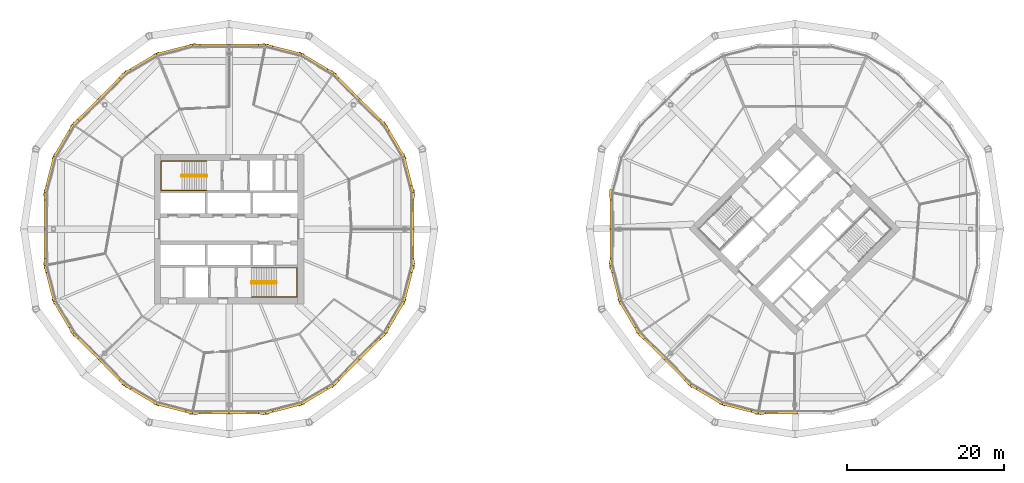
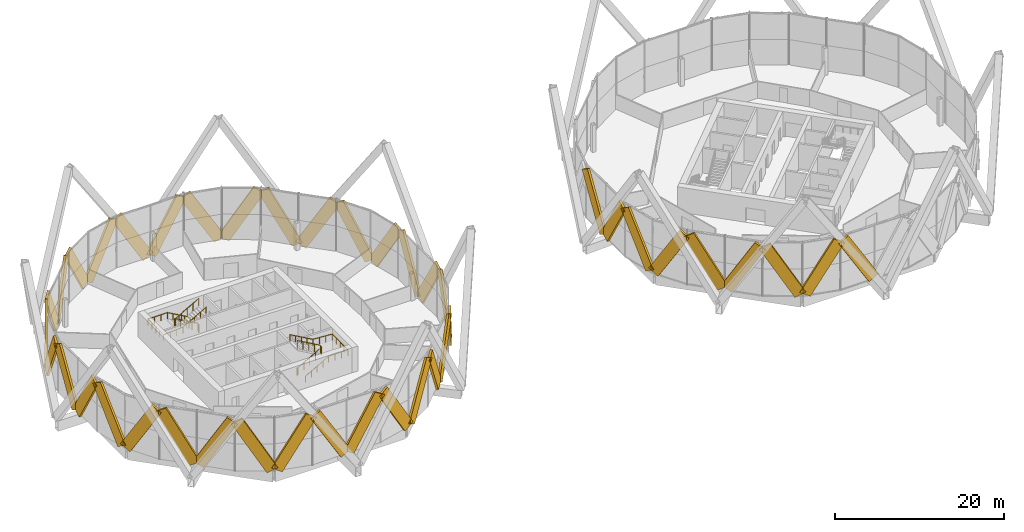
# One storey, part 27 of 28: 41 coverings, 4 railings.
"""IFC4 building model written with IfcOpenShell, lengths in metres."""

from ifc_helpers import new_model, si_unit, direction, frame, origin, origin_2d, place, context, subcontext, project, spatial, rectangle, circle, extrude, material, material_profile, profile_set, type_object, element, save


model = new_model("IFC4")

# Units and contexts
model_context = context("Model", 3, precision=1e-05, world=origin(), true_north=direction((0.0, 1.0)))
body_context = subcontext(model_context, "Body", "Model", "MODEL_VIEW")
ifc_project = project(units=[si_unit("LENGTHUNIT", "METRE"), si_unit("AREAUNIT", "SQUARE_METRE"), si_unit("VOLUMEUNIT", "CUBIC_METRE"), si_unit("PLANEANGLEUNIT", "RADIAN"), si_unit("MASSUNIT", "GRAM", prefix="KILO")], contexts=[model_context])

# Site, building, storey
site_placement = place(None, origin())
site = spatial("IfcSite", under=ifc_project, at=site_placement, CompositionType="ELEMENT")
building_placement = place(site_placement, origin())
building = spatial("IfcBuilding", under=site, at=building_placement, Name="Ogive Gate Towers", CompositionType="ELEMENT")
storey_placement = place(building_placement, frame((0.0, 0.0, 115.199951171875)))
storey = spatial("IfcBuildingStorey", under=building, at=storey_placement, Name="L27", CompositionType="ELEMENT", Elevation=115.199951171875)

# Coverings
ifc_material_1 = material(Name="Pale metal aluminium", Category="aluminium")
ifc_material_profile = material_profile(ifc_material_1, rectangle(XDim=0.300048828125, YDim=1.5, at=origin_2d()), Name="1500 x 300 pale metal aluminium")
ifc_profile_set = profile_set([ifc_material_profile], Name="Pale metal aluminium")
covering_type = type_object("IfcCoveringType", Name="Facade fin 1500 x 300", PredefinedType="CLADDING", material=ifc_profile_set)
covering_1_placement = place(storey_placement, frame((-12.627685546875, 0.223388671875, 0.031494140625), z_axis=(0.005227164316, 0.508647892171, 0.86095876704), x_axis=(-0.999947200062, 0.010276044395, 0.0)))
element("IfcCovering", 1, at=covering_1_placement, inside=storey, type_object=covering_type, Name="Facade fin", PredefinedType="CLADDING", context=body_context, shape_type="SweptSolid", body=[
    extrude(rectangle(XDim=0.300048828125, YDim=1.5, at=origin_2d()), origin(), (0.0, 0.0, 1.0), 8.173583984375),
])
for number, where, z_axis, x_axis, name in (
    (2, (-13.694580078125, 8.960205078125, 0.035400390625), (0.127928177285, -0.497498467219, 0.857979986114), (0.968492932597, 0.249041039811, 0.0), "Facade fin"),
    (3, (-13.891845703125, 9.4365234375, 0.035400390625), (-0.261365403853, 0.442244209165, 0.857967473235), (-0.860893036422, -0.508785986285, 0.0), "Facade fin"),
):
    element("IfcCovering", number, at=place(storey_placement, frame(where, z_axis=z_axis, x_axis=x_axis)), inside=storey, type_object=covering_type, Name=name, PredefinedType="CLADDING", context=body_context, shape_type="SweptSolid", body=[
        extrude(rectangle(XDim=0.300048828125, YDim=1.5, at=origin_2d()), origin(), (0.0, 0.0, 1.0), 8.19287109375),
    ])
for number, where, z_axis, x_axis, name in (
    (4, (-19.3154296875, 16.368896484375, 0.031494140625), (0.363387143952, -0.35597961381, 0.860946164497), (0.699788395832, 0.714350194973, 0.0), "Facade fin"),
    (5, (-19.631103515625, 16.6845703125, 0.031494140625), (-0.35597961381, 0.363387143952, 0.860946164497), (-0.714350194973, -0.699788395832, 0.0), "Facade fin"),
):
    element("IfcCovering", number, at=place(storey_placement, frame(where, z_axis=z_axis, x_axis=x_axis)), inside=storey, type_object=covering_type, Name=name, PredefinedType="CLADDING", context=body_context, shape_type="SweptSolid", body=[
        extrude(rectangle(XDim=0.300048828125, YDim=1.5, at=origin_2d()), origin(), (0.0, 0.0, 1.0), 8.173583984375),
    ])
for number, where, z_axis, x_axis, name in (
    (6, (-26.5634765625, 22.108154296875, 0.035400390625), (0.442244209165, -0.261365403853, 0.857967473235), (0.508785986285, 0.860893036422, 0.0), "Facade fin"),
    (7, (-27.039794921875, 22.305419921875, 0.035400390625), (-0.497498467219, 0.127928177285, 0.857979986114), (-0.249041039811, -0.968492932597, 0.0), "Facade fin"),
):
    element("IfcCovering", number, at=place(storey_placement, frame(where, z_axis=z_axis, x_axis=x_axis)), inside=storey, type_object=covering_type, Name=name, PredefinedType="CLADDING", context=body_context, shape_type="SweptSolid", body=[
        extrude(rectangle(XDim=0.300048828125, YDim=1.5, at=origin_2d()), origin(), (0.0, 0.0, 1.0), 8.19287109375),
    ])
for number, where, z_axis, x_axis, name in (
    (8, (-35.776611328125, 23.372314453125, 0.031494140625), (0.508647892171, 0.005227164316, 0.86095876704), (-0.010276044395, 0.999947200062, 0.0), "Facade fin"),
    (9, (-36.223388671875, 23.372314453125, 0.031494140625), (-0.508647892171, 0.005227164316, 0.86095876704), (-0.010276044395, -0.999947200062, 0.0), "Facade fin"),
):
    element("IfcCovering", number, at=place(storey_placement, frame(where, z_axis=z_axis, x_axis=x_axis)), inside=storey, type_object=covering_type, Name=name, PredefinedType="CLADDING", context=body_context, shape_type="SweptSolid", body=[
        extrude(rectangle(XDim=0.300048828125, YDim=1.5, at=origin_2d()), origin(), (0.0, 0.0, 1.0), 8.173583984375),
    ])
for number, where, z_axis, x_axis, name in (
    (10, (-44.960205078125, 22.305419921875, 0.035400390625), (0.497498467219, 0.127928177285, 0.857979986114), (-0.249041039811, 0.968492932597, 0.0), "Facade fin"),
    (11, (-45.4365234375, 22.108154296875, 0.035400390625), (-0.442244209165, -0.261365403853, 0.857967473235), (0.508785986285, -0.860893036422, 0.0), "Facade fin"),
):
    element("IfcCovering", number, at=place(storey_placement, frame(where, z_axis=z_axis, x_axis=x_axis)), inside=storey, type_object=covering_type, Name=name, PredefinedType="CLADDING", context=body_context, shape_type="SweptSolid", body=[
        extrude(rectangle(XDim=0.300048828125, YDim=1.5, at=origin_2d()), origin(), (0.0, 0.0, 1.0), 8.19287109375),
    ])
for number, where, z_axis, x_axis, name in (
    (12, (-52.368896484375, 16.6845703125, 0.031494140625), (0.35597961381, 0.363387143952, 0.860946164497), (-0.714350194973, 0.699788395832, 0.0), "Facade fin"),
    (13, (-52.6845703125, 16.368896484375, 0.031494140625), (-0.363387143952, -0.35597961381, 0.860946164497), (0.699788395832, -0.714350194973, 0.0), "Facade fin"),
):
    element("IfcCovering", number, at=place(storey_placement, frame(where, z_axis=z_axis, x_axis=x_axis)), inside=storey, type_object=covering_type, Name=name, PredefinedType="CLADDING", context=body_context, shape_type="SweptSolid", body=[
        extrude(rectangle(XDim=0.300048828125, YDim=1.5, at=origin_2d()), origin(), (0.0, 0.0, 1.0), 8.173583984375),
    ])
for number, where, z_axis, x_axis, name in (
    (14, (-58.108154296875, 9.4365234375, 0.035400390625), (0.261365403853, 0.442244209165, 0.857967473235), (-0.860893036422, 0.508785986285, 0.0), "Facade fin"),
    (15, (-58.305419921875, 8.960205078125, 0.035400390625), (-0.127928177285, -0.497498467219, 0.857979986114), (0.968492932597, -0.249041039811, 0.0), "Facade fin"),
):
    element("IfcCovering", number, at=place(storey_placement, frame(where, z_axis=z_axis, x_axis=x_axis)), inside=storey, type_object=covering_type, Name=name, PredefinedType="CLADDING", context=body_context, shape_type="SweptSolid", body=[
        extrude(rectangle(XDim=0.300048828125, YDim=1.5, at=origin_2d()), origin(), (0.0, 0.0, 1.0), 8.19287109375),
    ])
for number, where, z_axis, x_axis, name in (
    (16, (-59.372314453125, 0.223388671875, 0.031494140625), (-0.005227164316, 0.508647892171, 0.86095876704), (-0.999947200062, -0.010276044395, 0.0), "Facade fin"),
    (17, (-59.372314453125, -0.223388671875, 0.031494140625), (-0.005227164316, -0.508647892171, 0.86095876704), (0.999947200062, -0.010276044395, 0.0), "Facade fin"),
):
    element("IfcCovering", number, at=place(storey_placement, frame(where, z_axis=z_axis, x_axis=x_axis)), inside=storey, type_object=covering_type, Name=name, PredefinedType="CLADDING", context=body_context, shape_type="SweptSolid", body=[
        extrude(rectangle(XDim=0.300048828125, YDim=1.5, at=origin_2d()), origin(), (0.0, 0.0, 1.0), 8.173583984375),
    ])
for number, where, z_axis, x_axis, name in (
    (18, (-58.305419921875, -8.960205078125, 0.035400390625), (-0.127928177285, 0.497498467219, 0.857979986114), (-0.968492932597, -0.249041039811, 0.0), "Facade fin"),
    (19, (-58.108154296875, -9.4365234375, 0.035400390625), (0.261365403853, -0.442244209165, 0.857967473235), (0.860893036422, 0.508785986285, 0.0), "Facade fin"),
):
    element("IfcCovering", number, at=place(storey_placement, frame(where, z_axis=z_axis, x_axis=x_axis)), inside=storey, type_object=covering_type, Name=name, PredefinedType="CLADDING", context=body_context, shape_type="SweptSolid", body=[
        extrude(rectangle(XDim=0.300048828125, YDim=1.5, at=origin_2d()), origin(), (0.0, 0.0, 1.0), 8.19287109375),
    ])
for number, where, z_axis, x_axis, name in (
    (20, (-52.6845703125, -16.368896484375, 0.031494140625), (-0.363387143952, 0.35597961381, 0.860946164497), (-0.699788395832, -0.714350194973, 0.0), "Facade fin"),
    (21, (-52.368896484375, -16.6845703125, 0.031494140625), (0.35597961381, -0.363387143952, 0.860946164497), (0.714350194973, 0.699788395832, 0.0), "Facade fin"),
):
    element("IfcCovering", number, at=place(storey_placement, frame(where, z_axis=z_axis, x_axis=x_axis)), inside=storey, type_object=covering_type, Name=name, PredefinedType="CLADDING", context=body_context, shape_type="SweptSolid", body=[
        extrude(rectangle(XDim=0.300048828125, YDim=1.5, at=origin_2d()), origin(), (0.0, 0.0, 1.0), 8.173583984375),
    ])
for number, where, z_axis, x_axis, name in (
    (22, (-45.4365234375, -22.108154296875, 0.035400390625), (-0.442244209165, 0.261365403853, 0.857967473235), (-0.508785986285, -0.860893036422, 0.0), "Facade fin"),
    (23, (-44.960205078125, -22.305419921875, 0.035400390625), (0.497498467219, -0.127928177285, 0.857979986114), (0.249041039811, 0.968492932597, 0.0), "Facade fin"),
):
    element("IfcCovering", number, at=place(storey_placement, frame(where, z_axis=z_axis, x_axis=x_axis)), inside=storey, type_object=covering_type, Name=name, PredefinedType="CLADDING", context=body_context, shape_type="SweptSolid", body=[
        extrude(rectangle(XDim=0.300048828125, YDim=1.5, at=origin_2d()), origin(), (0.0, 0.0, 1.0), 8.19287109375),
    ])
for number, where, z_axis, x_axis, name in (
    (24, (-36.223388671875, -23.372314453125, 0.031494140625), (-0.508647892171, -0.005227164316, 0.86095876704), (0.010276044395, -0.999947200062, 0.0), "Facade fin"),
    (25, (-35.776611328125, -23.372314453125, 0.031494140625), (0.508647892171, -0.005227164316, 0.86095876704), (0.010276044395, 0.999947200062, 0.0), "Facade fin"),
):
    element("IfcCovering", number, at=place(storey_placement, frame(where, z_axis=z_axis, x_axis=x_axis)), inside=storey, type_object=covering_type, Name=name, PredefinedType="CLADDING", context=body_context, shape_type="SweptSolid", body=[
        extrude(rectangle(XDim=0.300048828125, YDim=1.5, at=origin_2d()), origin(), (0.0, 0.0, 1.0), 8.173583984375),
    ])
for number, where, z_axis, x_axis, name in (
    (26, (-27.039794921875, -22.305419921875, 0.035400390625), (-0.497498467219, -0.127928177285, 0.857979986114), (0.249041039811, -0.968492932597, 0.0), "Facade fin"),
    (27, (-26.5634765625, -22.108154296875, 0.035400390625), (0.442244209165, 0.261365403853, 0.857967473235), (-0.508785986285, 0.860893036422, 0.0), "Facade fin"),
):
    element("IfcCovering", number, at=place(storey_placement, frame(where, z_axis=z_axis, x_axis=x_axis)), inside=storey, type_object=covering_type, Name=name, PredefinedType="CLADDING", context=body_context, shape_type="SweptSolid", body=[
        extrude(rectangle(XDim=0.300048828125, YDim=1.5, at=origin_2d()), origin(), (0.0, 0.0, 1.0), 8.19287109375),
    ])
for number, where, z_axis, x_axis, name in (
    (28, (-19.631103515625, -16.6845703125, 0.031494140625), (-0.35597961381, -0.363387143952, 0.860946164497), (0.714350194973, -0.699788395832, 0.0), "Facade fin"),
    (29, (-19.3154296875, -16.368896484375, 0.031494140625), (0.363387143952, 0.35597961381, 0.860946164497), (-0.699788395832, 0.714350194973, 0.0), "Facade fin"),
):
    element("IfcCovering", number, at=place(storey_placement, frame(where, z_axis=z_axis, x_axis=x_axis)), inside=storey, type_object=covering_type, Name=name, PredefinedType="CLADDING", context=body_context, shape_type="SweptSolid", body=[
        extrude(rectangle(XDim=0.300048828125, YDim=1.5, at=origin_2d()), origin(), (0.0, 0.0, 1.0), 8.173583984375),
    ])
for number, where, z_axis, x_axis, name in (
    (30, (-13.891845703125, -9.4365234375, 0.035400390625), (-0.261365403853, -0.442244209165, 0.857967473235), (0.860893036422, -0.508785986285, 0.0), "Facade fin"),
    (31, (-13.694580078125, -8.960205078125, 0.035400390625), (0.127928177285, 0.497498467219, 0.857979986114), (-0.968492932597, 0.249041039811, 0.0), "Facade fin"),
):
    element("IfcCovering", number, at=place(storey_placement, frame(where, z_axis=z_axis, x_axis=x_axis)), inside=storey, type_object=covering_type, Name=name, PredefinedType="CLADDING", context=body_context, shape_type="SweptSolid", body=[
        extrude(rectangle(XDim=0.300048828125, YDim=1.5, at=origin_2d()), origin(), (0.0, 0.0, 1.0), 8.19287109375),
    ])
covering_2_placement = place(storey_placement, frame((-12.627685546875, -0.223388671875, 0.031494140625), z_axis=(0.005227164316, -0.508647892171, 0.86095876704), x_axis=(0.999947200062, 0.010276044395, 0.0)))
element("IfcCovering", 32, at=covering_2_placement, inside=storey, type_object=covering_type, Name="Facade fin", PredefinedType="CLADDING", context=body_context, shape_type="SweptSolid", body=[
    extrude(rectangle(XDim=0.300048828125, YDim=1.5, at=origin_2d()), origin(), (0.0, 0.0, 1.0), 8.173583984375),
])
for number, where, z_axis, x_axis, name in (
    (33, (12.627685546875, 0.228515625, 0.13525390625), (-0.005290317119, 0.513523525176, 0.85805920637), (-0.999946938666, -0.010301449006, 0.0), "Facade fin"),
    (34, (12.627685546875, -0.228515625, 0.13525390625), (-0.005290317119, -0.513523525176, 0.85805920637), (0.999946938666, -0.010301449006, 0.0), "Facade fin"),
):
    element("IfcCovering", number, at=place(storey_placement, frame(where, z_axis=z_axis, x_axis=x_axis)), inside=storey, type_object=covering_type, Name=name, PredefinedType="CLADDING", context=body_context, shape_type="SweptSolid", body=[
        extrude(rectangle(XDim=0.300048828125, YDim=1.5, at=origin_2d()), origin(), (0.0, 0.0, 1.0), 8.075927734375),
    ])
for number, where, z_axis, x_axis, name in (
    (35, (13.693115234375, -8.955078125, 0.138916015625), (-0.129101932383, 0.5022339598, 0.855040198283), (-0.96851336819, -0.248961554535, 0.0), "Facade fin"),
    (36, (13.89453125, -9.441162109375, 0.138916015625), (0.263840727454, -0.446439379269, 0.855032134586), (0.860896426094, 0.508780250736, 0.0), "Facade fin"),
):
    element("IfcCovering", number, at=place(storey_placement, frame(where, z_axis=z_axis, x_axis=x_axis)), inside=storey, type_object=covering_type, Name=name, PredefinedType="CLADDING", context=body_context, shape_type="SweptSolid", body=[
        extrude(rectangle(XDim=0.300048828125, YDim=1.5, at=origin_2d()), origin(), (0.0, 0.0, 1.0), 8.095703125),
    ])
for number, where, z_axis, x_axis, name in (
    (37, (19.311767578125, -16.365234375, 0.13525390625), (-0.366872875915, 0.359375803303, 0.858052052569), (-0.699770026242, -0.714368189643, 0.0), "Facade fin"),
    (38, (19.634765625, -16.688232421875, 0.13525390625), (0.359375803303, -0.366872875915, 0.858052052569), (0.714368189643, 0.699770026242, 0.0), "Facade fin"),
):
    element("IfcCovering", number, at=place(storey_placement, frame(where, z_axis=z_axis, x_axis=x_axis)), inside=storey, type_object=covering_type, Name=name, PredefinedType="CLADDING", context=body_context, shape_type="SweptSolid", body=[
        extrude(rectangle(XDim=0.300048828125, YDim=1.5, at=origin_2d()), origin(), (0.0, 0.0, 1.0), 8.076171875),
    ])
for number, where, z_axis, x_axis, name in (
    (39, (26.558837890625, -22.10546875, 0.138916015625), (-0.446439379269, 0.263840727454, 0.855032134586), (-0.508780250736, -0.860896426094, 0.0), "Facade fin"),
    (40, (27.044921875, -22.306884765625, 0.138916015625), (0.5022339598, -0.129101932383, 0.855040198283), (0.248961554535, 0.96851336819, 0.0), "Facade fin"),
):
    element("IfcCovering", number, at=place(storey_placement, frame(where, z_axis=z_axis, x_axis=x_axis)), inside=storey, type_object=covering_type, Name=name, PredefinedType="CLADDING", context=body_context, shape_type="SweptSolid", body=[
        extrude(rectangle(XDim=0.300048828125, YDim=1.5, at=origin_2d()), origin(), (0.0, 0.0, 1.0), 8.095703125),
    ])
covering_3_placement = place(storey_placement, frame((35.771484375, -23.372314453125, 0.13525390625), z_axis=(-0.513523525176, -0.005290317119, 0.85805920637), x_axis=(0.010301449006, -0.999946938666, 0.0)))
element("IfcCovering", 41, at=covering_3_placement, inside=storey, type_object=covering_type, Name="Facade fin", PredefinedType="CLADDING", context=body_context, shape_type="SweptSolid", body=[
    extrude(rectangle(XDim=0.300048828125, YDim=1.5, at=origin_2d()), origin(), (0.0, 0.0, 1.0), 8.075927734375),
])

# Railings
ifc_material_2 = material(Name="Stainless steel", Category="steel")
railing_type_1 = type_object("IfcRailingType", Name="Stair guard 1100", PredefinedType="GUARDRAIL", material=ifc_material_2)
railing_1_placement = place(storey_placement, frame((-38.81494140625, 6.860107421875, 0.0)))
element("IfcRailing", 42, at=railing_1_placement, inside=storey, type_object=railing_type_1, Name="L27 ST1 stair guard 1", PredefinedType="GUARDRAIL", context=body_context, shape_type="SweptSolid", body=[
    extrude(circle(Radius=0.02392578125, at=origin_2d()), frame((0.0, 0.0, 1.076171875), z_axis=(0.0, -1.0, 0.0), x_axis=(1.0, 0.0, 0.0)), (0.0, 0.0, 1.0), 0.14501953125),
    extrude(circle(Radius=0.02392578125, at=origin_2d()), frame((0.0, -0.14501953125, 1.076171875), z_axis=(-0.186679794065, 0.726685247142, 0.661119660934), x_axis=(-0.968551454522, -0.24881334358, 0.0)), (0.0, 0.0, 1.0), 0.26806640625),
    extrude(circle(Radius=0.02392578125, at=origin_2d()), frame((-0.050048828125, 0.0498046875, 1.25341796875), z_axis=(-0.870572935281, 0.0, 0.492039393094), x_axis=(0.0, -1.0, 0.0)), (0.0, 0.0, 1.0), 3.602783203125),
    extrude(circle(Radius=0.02392578125, at=origin_2d()), frame((-3.1865234375, 0.0498046875, 3.02587890625), z_axis=(-0.707106781187, -0.707106781187, 0.0), x_axis=(0.707106781187, -0.707106781187, 0.0)), (0.0, 0.0, 1.0), 0.0703125),
    extrude(circle(Radius=0.02392578125, at=origin_2d()), frame((-3.236328125, 0.0, 3.02587890625), z_axis=(0.0, -1.0, 0.0), x_axis=(1.0, 0.0, 0.0)), (0.0, 0.0, 1.0), 0.14501953125),
    extrude(circle(Radius=0.02392578125, at=origin_2d()), frame((-3.236328125, -0.14501953125, 3.02587890625), z_axis=(0.260731885961, -0.262009983441, 0.929176868105), x_axis=(0.708833529934, 0.705375805398, 0.0)), (0.0, 0.0, 1.0), 0.19091796875),
    extrude(circle(Radius=0.02392578125, at=origin_2d()), frame((-3.1865234375, -0.195068359375, 3.20361328125), z_axis=(0.870572935281, 0.0, 0.492039393094), x_axis=(0.0, 1.0, 0.0)), (0.0, 0.0, 1.0), 3.602783203125),
    extrude(circle(Radius=0.02099609375, at=origin_2d()), origin(), (0.0, 0.0, 1.0), 1.052001953125),
    extrude(circle(Radius=0.02099609375, at=origin_2d()), frame((0.0, -0.14501953125, 0.0)), (0.0, 0.0, 1.0), 1.052001953125),
    extrude(circle(Radius=0.02099609375, at=origin_2d()), frame((-0.050048828125, 0.0498046875, 0.17724609375)), (0.0, 0.0, 1.0), 1.052001953125),
    extrude(circle(Radius=0.02099609375, at=origin_2d()), frame((-0.834228515625, 0.0498046875, 0.620361328125)), (0.0, 0.0, 1.0), 1.052001953125),
    extrude(circle(Radius=0.02099609375, at=origin_2d()), frame((-1.6181640625, 0.0498046875, 1.0634765625)), (0.0, 0.0, 1.0), 1.052001953125),
    extrude(circle(Radius=0.02099609375, at=origin_2d()), frame((-2.40234375, 0.0498046875, 1.5068359375)), (0.0, 0.0, 1.0), 1.052001953125),
    extrude(circle(Radius=0.02099609375, at=origin_2d()), frame((-3.1865234375, 0.0498046875, 1.949951171875)), (0.0, 0.0, 1.0), 1.052001953125),
    extrude(circle(Radius=0.02099609375, at=origin_2d()), frame((-3.236328125, 0.0, 1.949951171875)), (0.0, 0.0, 1.0), 1.052001953125),
    extrude(circle(Radius=0.02099609375, at=origin_2d()), frame((-3.236328125, -0.14501953125, 1.949951171875)), (0.0, 0.0, 1.0), 1.052001953125),
    extrude(circle(Radius=0.02099609375, at=origin_2d()), frame((-3.1865234375, -0.195068359375, 2.12744140625)), (0.0, 0.0, 1.0), 1.052001953125),
    extrude(circle(Radius=0.02099609375, at=origin_2d()), frame((-2.40234375, -0.195068359375, 2.570556640625)), (0.0, 0.0, 1.0), 1.052001953125),
    extrude(circle(Radius=0.02099609375, at=origin_2d()), frame((-1.6181640625, -0.195068359375, 3.013671875)), (0.0, 0.0, 1.0), 1.052001953125),
    extrude(circle(Radius=0.02099609375, at=origin_2d()), frame((-0.834228515625, -0.195068359375, 3.45703125)), (0.0, 0.0, 1.0), 1.052001953125),
    extrude(circle(Radius=0.02099609375, at=origin_2d()), frame((-0.050048828125, -0.195068359375, 3.900146484375)), (0.0, 0.0, 1.0), 1.052001953125),
])
railing_2_placement = place(storey_placement, frame((-33.18505859375, -6.860107421875, 0.0)))
element("IfcRailing", 43, at=railing_2_placement, inside=storey, type_object=railing_type_1, Name="L27 ST2 stair guard 1", PredefinedType="GUARDRAIL", context=body_context, shape_type="SweptSolid", body=[
    extrude(circle(Radius=0.02392578125, at=origin_2d()), frame((0.0, 0.0, 1.076171875), z_axis=(0.0, 1.0, 0.0), x_axis=(-1.0, 0.0, 0.0)), (0.0, 0.0, 1.0), 0.14501953125),
    extrude(circle(Radius=0.02392578125, at=origin_2d()), frame((0.0, 0.14501953125, 1.076171875), z_axis=(0.186679794065, -0.726685247142, 0.661119660934), x_axis=(0.968551454522, 0.24881334358, 0.0)), (0.0, 0.0, 1.0), 0.26806640625),
    extrude(circle(Radius=0.02392578125, at=origin_2d()), frame((0.050048828125, -0.0498046875, 1.25341796875), z_axis=(0.870572935281, 0.0, 0.492039393094), x_axis=(0.0, 1.0, 0.0)), (0.0, 0.0, 1.0), 3.602783203125),
    extrude(circle(Radius=0.02392578125, at=origin_2d()), frame((3.1865234375, -0.0498046875, 3.02587890625), z_axis=(0.707106781187, 0.707106781187, 0.0), x_axis=(-0.707106781187, 0.707106781187, 0.0)), (0.0, 0.0, 1.0), 0.0703125),
    extrude(circle(Radius=0.02392578125, at=origin_2d()), frame((3.236328125, 0.0, 3.02587890625), z_axis=(0.0, 1.0, 0.0), x_axis=(-1.0, 0.0, 0.0)), (0.0, 0.0, 1.0), 0.14501953125),
    extrude(circle(Radius=0.02392578125, at=origin_2d()), frame((3.236328125, 0.14501953125, 3.02587890625), z_axis=(-0.260731885961, 0.262009983441, 0.929176868105), x_axis=(-0.708833529934, -0.705375805398, 0.0)), (0.0, 0.0, 1.0), 0.19091796875),
    extrude(circle(Radius=0.02392578125, at=origin_2d()), frame((3.1865234375, 0.195068359375, 3.20361328125), z_axis=(-0.870572935281, 0.0, 0.492039393094), x_axis=(0.0, -1.0, 0.0)), (0.0, 0.0, 1.0), 3.602783203125),
    extrude(circle(Radius=0.02099609375, at=origin_2d()), origin(), (0.0, 0.0, 1.0), 1.052001953125),
    extrude(circle(Radius=0.02099609375, at=origin_2d()), frame((0.0, 0.14501953125, 0.0)), (0.0, 0.0, 1.0), 1.052001953125),
    extrude(circle(Radius=0.02099609375, at=origin_2d()), frame((0.050048828125, -0.0498046875, 0.17724609375)), (0.0, 0.0, 1.0), 1.052001953125),
    extrude(circle(Radius=0.02099609375, at=origin_2d()), frame((0.834228515625, -0.0498046875, 0.620361328125)), (0.0, 0.0, 1.0), 1.052001953125),
    extrude(circle(Radius=0.02099609375, at=origin_2d()), frame((1.6181640625, -0.0498046875, 1.0634765625)), (0.0, 0.0, 1.0), 1.052001953125),
    extrude(circle(Radius=0.02099609375, at=origin_2d()), frame((2.40234375, -0.0498046875, 1.5068359375)), (0.0, 0.0, 1.0), 1.052001953125),
    extrude(circle(Radius=0.02099609375, at=origin_2d()), frame((3.1865234375, -0.0498046875, 1.949951171875)), (0.0, 0.0, 1.0), 1.052001953125),
    extrude(circle(Radius=0.02099609375, at=origin_2d()), frame((3.236328125, 0.0, 1.949951171875)), (0.0, 0.0, 1.0), 1.052001953125),
    extrude(circle(Radius=0.02099609375, at=origin_2d()), frame((3.236328125, 0.14501953125, 1.949951171875)), (0.0, 0.0, 1.0), 1.052001953125),
    extrude(circle(Radius=0.02099609375, at=origin_2d()), frame((3.1865234375, 0.195068359375, 2.12744140625)), (0.0, 0.0, 1.0), 1.052001953125),
    extrude(circle(Radius=0.02099609375, at=origin_2d()), frame((2.40234375, 0.195068359375, 2.570556640625)), (0.0, 0.0, 1.0), 1.052001953125),
    extrude(circle(Radius=0.02099609375, at=origin_2d()), frame((1.6181640625, 0.195068359375, 3.013671875)), (0.0, 0.0, 1.0), 1.052001953125),
    extrude(circle(Radius=0.02099609375, at=origin_2d()), frame((0.834228515625, 0.195068359375, 3.45703125)), (0.0, 0.0, 1.0), 1.052001953125),
    extrude(circle(Radius=0.02099609375, at=origin_2d()), frame((0.050048828125, 0.195068359375, 3.900146484375)), (0.0, 0.0, 1.0), 1.052001953125),
])
railing_type_2 = type_object("IfcRailingType", Name="Stair handrail 900", PredefinedType="HANDRAIL", material=ifc_material_2)
railing_3_placement = place(storey_placement, frame((-38.864990234375, 8.64990234375, 0.17724609375)))
element("IfcRailing", 44, at=railing_3_placement, inside=storey, type_object=railing_type_2, Name="L27 ST1 stair handrail 1", PredefinedType="HANDRAIL", context=body_context, shape_type="SweptSolid", body=[
    extrude(circle(Radius=0.02392578125, at=origin_2d()), frame((0.0, 0.0, 0.8759765625), z_axis=(-0.870572935281, 0.0, 0.492039393094), x_axis=(0.0, -1.0, 0.0)), (0.0, 0.0, 1.0), 3.602783203125),
    extrude(circle(Radius=0.02392578125, at=origin_2d()), frame((-3.136474609375, 0.0, 2.6484375), z_axis=(-1.0, 0.0, 0.0), x_axis=(0.0, -1.0, 0.0)), (0.0, 0.0, 1.0), 2.6484375),
    extrude(circle(Radius=0.02392578125, at=origin_2d()), frame((-5.784912109375, 0.0, 2.6484375), z_axis=(0.0, -1.0, 0.0), x_axis=(1.0, 0.0, 0.0)), (0.0, 0.0, 1.0), 3.724853515625),
    extrude(circle(Radius=0.02392578125, at=origin_2d()), frame((-5.784912109375, -3.724853515625, 2.6484375), z_axis=(0.997761899551, 0.0, 0.06686697096), x_axis=(0.0, 1.0, 0.0)), (0.0, 0.0, 1.0), 2.654296875),
    extrude(circle(Radius=0.02392578125, at=origin_2d()), frame((-3.136474609375, -3.724853515625, 2.826171875), z_axis=(0.870572935281, 0.0, 0.492039393094), x_axis=(0.0, 1.0, 0.0)), (0.0, 0.0, 1.0), 3.602783203125),
    extrude(circle(Radius=0.02099609375, at=origin_2d()), origin(), (0.0, 0.0, 1.0), 0.851806640625),
    extrude(circle(Radius=0.02099609375, at=origin_2d()), frame((-0.7841796875, 0.0, 0.443115234375)), (0.0, 0.0, 1.0), 0.851806640625),
    extrude(circle(Radius=0.02099609375, at=origin_2d()), frame((-1.568359375, 0.0, 0.88623046875)), (0.0, 0.0, 1.0), 0.851806640625),
    extrude(circle(Radius=0.02099609375, at=origin_2d()), frame((-2.352294921875, 0.0, 1.32958984375)), (0.0, 0.0, 1.0), 0.851806640625),
    extrude(circle(Radius=0.02099609375, at=origin_2d()), frame((-3.136474609375, 0.0, 1.772705078125)), (0.0, 0.0, 1.0), 0.851806640625),
    extrude(circle(Radius=0.02099609375, at=origin_2d()), frame((-4.019287109375, 0.0, 1.772705078125)), (0.0, 0.0, 1.0), 0.851806640625),
    extrude(circle(Radius=0.02099609375, at=origin_2d()), frame((-4.902099609375, 0.0, 1.772705078125)), (0.0, 0.0, 1.0), 0.851806640625),
    extrude(circle(Radius=0.02099609375, at=origin_2d()), frame((-5.784912109375, 0.0, 1.772705078125)), (0.0, 0.0, 1.0), 0.851806640625),
    extrude(circle(Radius=0.02099609375, at=origin_2d()), frame((-5.784912109375, -0.93115234375, 1.772705078125)), (0.0, 0.0, 1.0), 0.851806640625),
    extrude(circle(Radius=0.02099609375, at=origin_2d()), frame((-5.784912109375, -1.8623046875, 1.772705078125)), (0.0, 0.0, 1.0), 0.851806640625),
    extrude(circle(Radius=0.02099609375, at=origin_2d()), frame((-5.784912109375, -2.793701171875, 1.772705078125)), (0.0, 0.0, 1.0), 0.851806640625),
    extrude(circle(Radius=0.02099609375, at=origin_2d()), frame((-5.784912109375, -3.724853515625, 1.772705078125)), (0.0, 0.0, 1.0), 0.851806640625),
    extrude(circle(Radius=0.02099609375, at=origin_2d()), frame((-4.902099609375, -3.724853515625, 1.831787109375)), (0.0, 0.0, 1.0), 0.851806640625),
    extrude(circle(Radius=0.02099609375, at=origin_2d()), frame((-4.019287109375, -3.724853515625, 1.89111328125)), (0.0, 0.0, 1.0), 0.851806640625),
    extrude(circle(Radius=0.02099609375, at=origin_2d()), frame((-3.136474609375, -3.724853515625, 1.9501953125)), (0.0, 0.0, 1.0), 0.851806640625),
    extrude(circle(Radius=0.02099609375, at=origin_2d()), frame((-2.352294921875, -3.724853515625, 2.393310546875)), (0.0, 0.0, 1.0), 0.851806640625),
    extrude(circle(Radius=0.02099609375, at=origin_2d()), frame((-1.568359375, -3.724853515625, 2.83642578125)), (0.0, 0.0, 1.0), 0.851806640625),
    extrude(circle(Radius=0.02099609375, at=origin_2d()), frame((-0.7841796875, -3.724853515625, 3.27978515625)), (0.0, 0.0, 1.0), 0.851806640625),
    extrude(circle(Radius=0.02099609375, at=origin_2d()), frame((0.0, -3.724853515625, 3.722900390625)), (0.0, 0.0, 1.0), 0.851806640625),
])
railing_4_placement = place(storey_placement, frame((-33.135009765625, -8.64990234375, 0.17724609375)))
element("IfcRailing", 45, at=railing_4_placement, inside=storey, type_object=railing_type_2, Name="L27 ST2 stair handrail 1", PredefinedType="HANDRAIL", context=body_context, shape_type="SweptSolid", body=[
    extrude(circle(Radius=0.02392578125, at=origin_2d()), frame((0.0, 0.0, 0.8759765625), z_axis=(0.870572935281, 0.0, 0.492039393094), x_axis=(0.0, 1.0, 0.0)), (0.0, 0.0, 1.0), 3.602783203125),
    extrude(circle(Radius=0.02392578125, at=origin_2d()), frame((3.136474609375, 0.0, 2.6484375), z_axis=(1.0, 0.0, 0.0), x_axis=(0.0, 1.0, 0.0)), (0.0, 0.0, 1.0), 2.6484375),
    extrude(circle(Radius=0.02392578125, at=origin_2d()), frame((5.784912109375, 0.0, 2.6484375), z_axis=(0.0, 1.0, 0.0), x_axis=(-1.0, 0.0, 0.0)), (0.0, 0.0, 1.0), 3.724853515625),
    extrude(circle(Radius=0.02392578125, at=origin_2d()), frame((5.784912109375, 3.724853515625, 2.6484375), z_axis=(-0.997761899551, 0.0, 0.06686697096), x_axis=(0.0, -1.0, 0.0)), (0.0, 0.0, 1.0), 2.654296875),
    extrude(circle(Radius=0.02392578125, at=origin_2d()), frame((3.136474609375, 3.724853515625, 2.826171875), z_axis=(-0.870572935281, 0.0, 0.492039393094), x_axis=(0.0, -1.0, 0.0)), (0.0, 0.0, 1.0), 3.602783203125),
    extrude(circle(Radius=0.02099609375, at=origin_2d()), origin(), (0.0, 0.0, 1.0), 0.851806640625),
    extrude(circle(Radius=0.02099609375, at=origin_2d()), frame((0.7841796875, 0.0, 0.443115234375)), (0.0, 0.0, 1.0), 0.851806640625),
    extrude(circle(Radius=0.02099609375, at=origin_2d()), frame((1.568359375, 0.0, 0.88623046875)), (0.0, 0.0, 1.0), 0.851806640625),
    extrude(circle(Radius=0.02099609375, at=origin_2d()), frame((2.352294921875, 0.0, 1.32958984375)), (0.0, 0.0, 1.0), 0.851806640625),
    extrude(circle(Radius=0.02099609375, at=origin_2d()), frame((3.136474609375, 0.0, 1.772705078125)), (0.0, 0.0, 1.0), 0.851806640625),
    extrude(circle(Radius=0.02099609375, at=origin_2d()), frame((4.019287109375, 0.0, 1.772705078125)), (0.0, 0.0, 1.0), 0.851806640625),
    extrude(circle(Radius=0.02099609375, at=origin_2d()), frame((4.902099609375, 0.0, 1.772705078125)), (0.0, 0.0, 1.0), 0.851806640625),
    extrude(circle(Radius=0.02099609375, at=origin_2d()), frame((5.784912109375, 0.0, 1.772705078125)), (0.0, 0.0, 1.0), 0.851806640625),
    extrude(circle(Radius=0.02099609375, at=origin_2d()), frame((5.784912109375, 0.93115234375, 1.772705078125)), (0.0, 0.0, 1.0), 0.851806640625),
    extrude(circle(Radius=0.02099609375, at=origin_2d()), frame((5.784912109375, 1.8623046875, 1.772705078125)), (0.0, 0.0, 1.0), 0.851806640625),
    extrude(circle(Radius=0.02099609375, at=origin_2d()), frame((5.784912109375, 2.793701171875, 1.772705078125)), (0.0, 0.0, 1.0), 0.851806640625),
    extrude(circle(Radius=0.02099609375, at=origin_2d()), frame((5.784912109375, 3.724853515625, 1.772705078125)), (0.0, 0.0, 1.0), 0.851806640625),
    extrude(circle(Radius=0.02099609375, at=origin_2d()), frame((4.902099609375, 3.724853515625, 1.831787109375)), (0.0, 0.0, 1.0), 0.851806640625),
    extrude(circle(Radius=0.02099609375, at=origin_2d()), frame((4.019287109375, 3.724853515625, 1.89111328125)), (0.0, 0.0, 1.0), 0.851806640625),
    extrude(circle(Radius=0.02099609375, at=origin_2d()), frame((3.136474609375, 3.724853515625, 1.9501953125)), (0.0, 0.0, 1.0), 0.851806640625),
    extrude(circle(Radius=0.02099609375, at=origin_2d()), frame((2.352294921875, 3.724853515625, 2.393310546875)), (0.0, 0.0, 1.0), 0.851806640625),
    extrude(circle(Radius=0.02099609375, at=origin_2d()), frame((1.568359375, 3.724853515625, 2.83642578125)), (0.0, 0.0, 1.0), 0.851806640625),
    extrude(circle(Radius=0.02099609375, at=origin_2d()), frame((0.7841796875, 3.724853515625, 3.27978515625)), (0.0, 0.0, 1.0), 0.851806640625),
    extrude(circle(Radius=0.02099609375, at=origin_2d()), frame((0.0, 3.724853515625, 3.722900390625)), (0.0, 0.0, 1.0), 0.851806640625),
])

save(model, "model.ifc")
